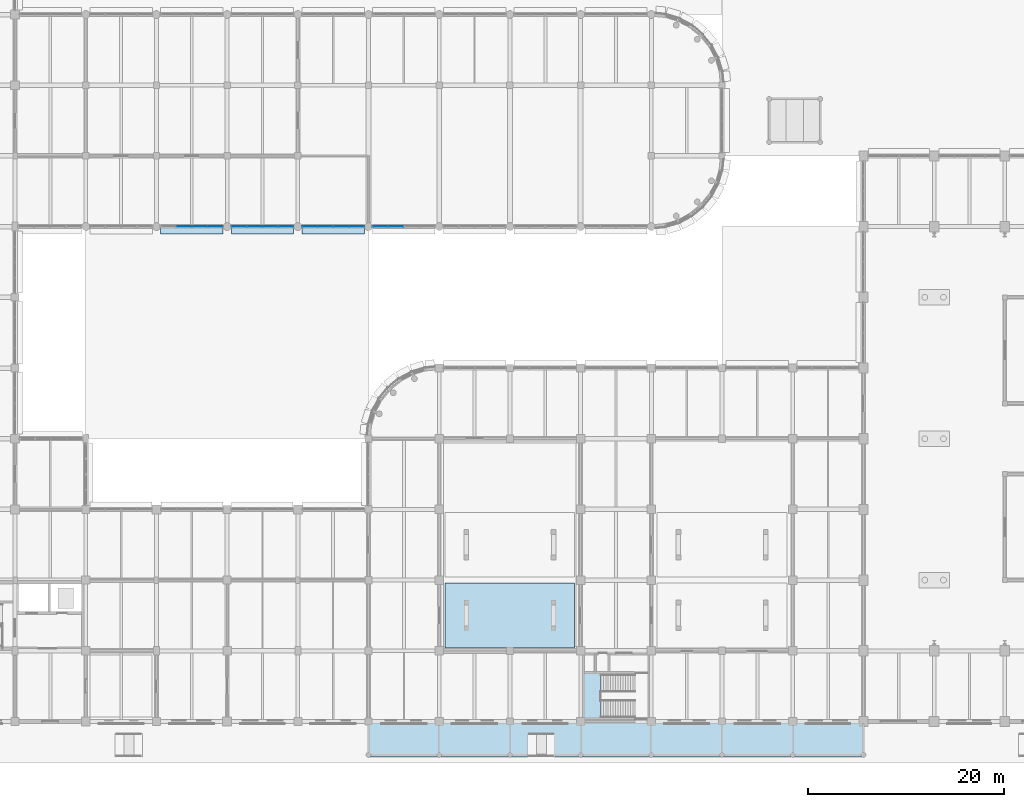
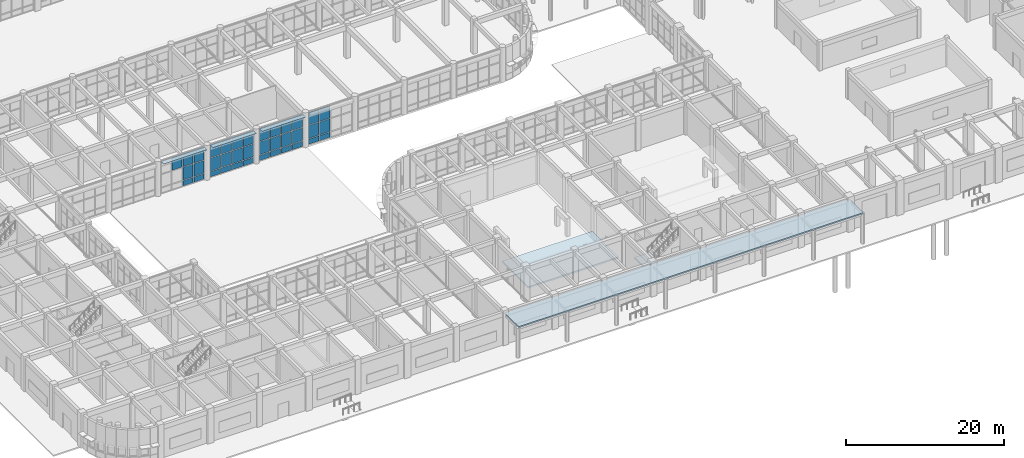
# One storey, part 115 of 160: 40 plates, 3 slabs, 5 elements without a shape of their own.
"""IFC4 building model written with IfcOpenShell, lengths in metres."""

from ifc_helpers import new_model, si_unit, direction, frame, origin, origin_2d, place, context, subcontext, project, spatial, polyline, rectangle, outline, extrude, material, layer, layer_set, type_object, element, aggregate, save


model = new_model("IFC4")

# Units and contexts
model_context = context("Model", 3, precision=1e-05, world=origin(), true_north=direction((0.0, 1.0)))
body_context = subcontext(model_context, "Body", "Model", "MODEL_VIEW")
ifc_project = project(units=[si_unit("LENGTHUNIT", "METRE"), si_unit("AREAUNIT", "SQUARE_METRE"), si_unit("VOLUMEUNIT", "CUBIC_METRE"), si_unit("PLANEANGLEUNIT", "RADIAN"), si_unit("MASSUNIT", "GRAM", prefix="KILO")], contexts=[model_context])

# Site, building, storey
site_placement = place(None, origin())
site = spatial("IfcSite", under=ifc_project, at=site_placement, CompositionType="ELEMENT")
building_placement = place(site_placement, origin())
building = spatial("IfcBuilding", under=site, at=building_placement, Name="Thalmaran Polytechnic", CompositionType="ELEMENT")
storey_placement = place(building_placement, origin())
storey = spatial("IfcBuildingStorey", under=building, at=storey_placement, Name="L00", CompositionType="ELEMENT", Elevation=0.0)

# Plates
ifc_material_1 = material(Name="Anodised aluminium sun-hood eyebrow", Category="aluminium")
ifc_layer_1 = layer(ifc_material_1, 0.0849609375, Name="Anodised aluminium sun-hood eyebrow")
ifc_layer_set_1 = layer_set([ifc_layer_1], Name="Anodised aluminium sun-hood eyebrow")
plate_type_1 = type_object("IfcPlateType", Name="PT-EB01", PredefinedType="SHEET", material=ifc_layer_set_1)
for number, where, z_axis, x_axis, name in (
    (1, (54.0, 50.0400390625, 4.987548828125), (0.0, 0.0, 1.0), (-1.0, 0.0, 0.0), "Streamline Sun-Hood Eyebrow L00-CW040"),
    (2, (46.800048828125, 50.0400390625, 4.987548828125), (0.0, 0.0, 1.0), (-1.0, 0.0, 0.0), "Streamline Sun-Hood Eyebrow L00-CW041"),
    (3, (39.60009765625, 50.0400390625, 4.987548828125), (0.0, 0.0, 1.0), (-1.0, 0.0, 0.0), "Streamline Sun-Hood Eyebrow L00-CW042"),
):
    element("IfcPlate", number, at=place(storey_placement, frame(where, z_axis=z_axis, x_axis=x_axis)), inside=storey, type_object=plate_type_1, Name=name, PredefinedType="SHEET", context=body_context, shape_type="SweptSolid", body=[
        extrude(rectangle(XDim=6.360107421875, YDim=0.760009765625, at=origin_2d()), origin(), (0.0, 0.0, 1.0), 0.0849609375),
    ])

# Curtain wall, plates
ifc_material_2 = material(Name="Aluminium 6063-T6", Category="aluminium")
curtain_wall_type = type_object("IfcCurtainWallType", Name="CW-SC01", PredefinedType="USERDEFINED", material=ifc_material_2)
curtain_wall_1_placement = place(storey_placement, origin())
curtain_wall_1 = element("IfcCurtainWall", 4, at=curtain_wall_1_placement, inside=storey, type_object=curtain_wall_type, Name="Curtain Wall CW-L00-040", ObjectType="STICK CURTAIN WALL", PredefinedType="USERDEFINED")
ifc_material_3 = material(Name="Solar-control double low-E glass", Category="glass")
ifc_layer_2 = layer(ifc_material_3, 0.035888671875, Name="Solar-control double low-E glass")
ifc_layer_set_2 = layer_set([ifc_layer_2], Name="Solar-control double low-E glass")
plate_type_2 = type_object("IfcPlateType", Name="PT-GL01", PredefinedType="CURTAIN_PANEL", material=ifc_layer_set_2)
plate_1_placement = place(storey_placement, frame((56.39990234375, 50.39990234375, 1.0), z_axis=(0.0, 0.0, 1.0), x_axis=(-1.0, 0.0, 0.0)))
plate_1 = element("IfcPlate", 5, at=plate_1_placement, type_object=plate_type_2, Name="CW-L00-040 Vision Panel 1-2", PredefinedType="CURTAIN_PANEL", context=body_context, shape_type="SweptSolid", body=[
    extrude(rectangle(XDim=1.5, YDim=0.035888671875, at=origin_2d()), origin(), (0.0, 0.0, 1.0), 1.985107421875),
])
plate_2_placement = place(storey_placement, frame((56.39990234375, 50.39990234375, 3.06494140625), z_axis=(0.0, 0.0, 1.0), x_axis=(-1.0, 0.0, 0.0)))
plate_2 = element("IfcPlate", 6, at=plate_2_placement, type_object=plate_type_2, Name="CW-L00-040 Vision Panel 1-3", PredefinedType="CURTAIN_PANEL", context=body_context, shape_type="SweptSolid", body=[
    extrude(rectangle(XDim=1.5, YDim=0.035888671875, at=origin_2d()), origin(), (0.0, 0.0, 1.0), 1.925048828125),
])
plate_3_placement = place(storey_placement, frame((54.800048828125, 50.39990234375, 1.0), z_axis=(0.0, 0.0, 1.0), x_axis=(-1.0, 0.0, 0.0)))
plate_3 = element("IfcPlate", 7, at=plate_3_placement, type_object=plate_type_2, Name="CW-L00-040 Vision Panel 2-2", PredefinedType="CURTAIN_PANEL", context=body_context, shape_type="SweptSolid", body=[
    extrude(rectangle(XDim=1.5, YDim=0.035888671875, at=origin_2d()), origin(), (0.0, 0.0, 1.0), 1.985107421875),
])
plate_4_placement = place(storey_placement, frame((54.800048828125, 50.39990234375, 3.06494140625), z_axis=(0.0, 0.0, 1.0), x_axis=(-1.0, 0.0, 0.0)))
plate_4 = element("IfcPlate", 8, at=plate_4_placement, type_object=plate_type_2, Name="CW-L00-040 Vision Panel 2-3", PredefinedType="CURTAIN_PANEL", context=body_context, shape_type="SweptSolid", body=[
    extrude(rectangle(XDim=1.5, YDim=0.035888671875, at=origin_2d()), origin(), (0.0, 0.0, 1.0), 1.925048828125),
])
plate_5_placement = place(storey_placement, frame((53.199951171875, 50.39990234375, 1.0), z_axis=(0.0, 0.0, 1.0), x_axis=(-1.0, 0.0, 0.0)))
plate_5 = element("IfcPlate", 9, at=plate_5_placement, type_object=plate_type_2, Name="CW-L00-040 Vision Panel 3-2", PredefinedType="CURTAIN_PANEL", context=body_context, shape_type="SweptSolid", body=[
    extrude(rectangle(XDim=1.5, YDim=0.035888671875, at=origin_2d()), origin(), (0.0, 0.0, 1.0), 1.985107421875),
])
plate_6_placement = place(storey_placement, frame((53.199951171875, 50.39990234375, 3.06494140625), z_axis=(0.0, 0.0, 1.0), x_axis=(-1.0, 0.0, 0.0)))
plate_6 = element("IfcPlate", 10, at=plate_6_placement, type_object=plate_type_2, Name="CW-L00-040 Vision Panel 3-3", PredefinedType="CURTAIN_PANEL", context=body_context, shape_type="SweptSolid", body=[
    extrude(rectangle(XDim=1.5, YDim=0.035888671875, at=origin_2d()), origin(), (0.0, 0.0, 1.0), 1.925048828125),
])
plate_7_placement = place(storey_placement, frame((51.60009765625, 50.39990234375, 1.0), z_axis=(0.0, 0.0, 1.0), x_axis=(-1.0, 0.0, 0.0)))
plate_7 = element("IfcPlate", 11, at=plate_7_placement, type_object=plate_type_2, Name="CW-L00-040 Vision Panel 4-2", PredefinedType="CURTAIN_PANEL", context=body_context, shape_type="SweptSolid", body=[
    extrude(rectangle(XDim=1.5, YDim=0.035888671875, at=origin_2d()), origin(), (0.0, 0.0, 1.0), 1.985107421875),
])
plate_8_placement = place(storey_placement, frame((51.60009765625, 50.39990234375, 3.06494140625), z_axis=(0.0, 0.0, 1.0), x_axis=(-1.0, 0.0, 0.0)))
plate_8 = element("IfcPlate", 12, at=plate_8_placement, type_object=plate_type_2, Name="CW-L00-040 Vision Panel 4-3", PredefinedType="CURTAIN_PANEL", context=body_context, shape_type="SweptSolid", body=[
    extrude(rectangle(XDim=1.5, YDim=0.035888671875, at=origin_2d()), origin(), (0.0, 0.0, 1.0), 1.925048828125),
])

curtain_wall_2_placement = place(storey_placement, origin())
curtain_wall_2 = element("IfcCurtainWall", 13, at=curtain_wall_2_placement, inside=storey, type_object=curtain_wall_type, Name="Curtain Wall CW-L00-041", ObjectType="STICK CURTAIN WALL", PredefinedType="USERDEFINED")
ifc_layer_3 = layer(ifc_material_3, 0.035888671875, Name="Solar-control double low-E glass")
ifc_layer_set_3 = layer_set([ifc_layer_3], Name="Solar-control double low-E glass")
plate_type_3 = type_object("IfcPlateType", Name="PT-GL02", PredefinedType="CURTAIN_PANEL", material=ifc_layer_set_3)
plate_9_placement = place(storey_placement, frame((49.199951171875, 50.39990234375, 1.0), z_axis=(0.0, 0.0, 1.0), x_axis=(-1.0, 0.0, 0.0)))
plate_9 = element("IfcPlate", 14, at=plate_9_placement, type_object=plate_type_3, Name="CW-L00-041 Vision Panel 1-2", PredefinedType="CURTAIN_PANEL", context=body_context, shape_type="SweptSolid", body=[
    extrude(rectangle(XDim=1.5, YDim=0.035888671875, at=origin_2d()), origin(), (0.0, 0.0, 1.0), 1.985107421875),
])
plate_10_placement = place(storey_placement, frame((49.199951171875, 50.39990234375, 3.06494140625), z_axis=(0.0, 0.0, 1.0), x_axis=(-1.0, 0.0, 0.0)))
plate_10 = element("IfcPlate", 15, at=plate_10_placement, type_object=plate_type_3, Name="CW-L00-041 Vision Panel 1-3", PredefinedType="CURTAIN_PANEL", context=body_context, shape_type="SweptSolid", body=[
    extrude(rectangle(XDim=1.5, YDim=0.035888671875, at=origin_2d()), origin(), (0.0, 0.0, 1.0), 1.925048828125),
])
plate_11_placement = place(storey_placement, frame((47.60009765625, 50.39990234375, 1.0), z_axis=(0.0, 0.0, 1.0), x_axis=(-1.0, 0.0, 0.0)))
plate_11 = element("IfcPlate", 16, at=plate_11_placement, type_object=plate_type_3, Name="CW-L00-041 Vision Panel 2-2", PredefinedType="CURTAIN_PANEL", context=body_context, shape_type="SweptSolid", body=[
    extrude(rectangle(XDim=1.5, YDim=0.035888671875, at=origin_2d()), origin(), (0.0, 0.0, 1.0), 1.985107421875),
])
plate_12_placement = place(storey_placement, frame((47.60009765625, 50.39990234375, 3.06494140625), z_axis=(0.0, 0.0, 1.0), x_axis=(-1.0, 0.0, 0.0)))
plate_12 = element("IfcPlate", 17, at=plate_12_placement, type_object=plate_type_3, Name="CW-L00-041 Vision Panel 2-3", PredefinedType="CURTAIN_PANEL", context=body_context, shape_type="SweptSolid", body=[
    extrude(rectangle(XDim=1.5, YDim=0.035888671875, at=origin_2d()), origin(), (0.0, 0.0, 1.0), 1.925048828125),
])
plate_13_placement = place(storey_placement, frame((46.0, 50.39990234375, 1.0), z_axis=(0.0, 0.0, 1.0), x_axis=(-1.0, 0.0, 0.0)))
plate_13 = element("IfcPlate", 18, at=plate_13_placement, type_object=plate_type_3, Name="CW-L00-041 Vision Panel 3-2", PredefinedType="CURTAIN_PANEL", context=body_context, shape_type="SweptSolid", body=[
    extrude(rectangle(XDim=1.5, YDim=0.035888671875, at=origin_2d()), origin(), (0.0, 0.0, 1.0), 1.985107421875),
])
plate_14_placement = place(storey_placement, frame((46.0, 50.39990234375, 3.06494140625), z_axis=(0.0, 0.0, 1.0), x_axis=(-1.0, 0.0, 0.0)))
plate_14 = element("IfcPlate", 19, at=plate_14_placement, type_object=plate_type_3, Name="CW-L00-041 Vision Panel 3-3", PredefinedType="CURTAIN_PANEL", context=body_context, shape_type="SweptSolid", body=[
    extrude(rectangle(XDim=1.5, YDim=0.035888671875, at=origin_2d()), origin(), (0.0, 0.0, 1.0), 1.925048828125),
])
plate_15_placement = place(storey_placement, frame((44.39990234375, 50.39990234375, 1.0), z_axis=(0.0, 0.0, 1.0), x_axis=(-1.0, 0.0, 0.0)))
plate_15 = element("IfcPlate", 20, at=plate_15_placement, type_object=plate_type_3, Name="CW-L00-041 Vision Panel 4-2", PredefinedType="CURTAIN_PANEL", context=body_context, shape_type="SweptSolid", body=[
    extrude(rectangle(XDim=1.5, YDim=0.035888671875, at=origin_2d()), origin(), (0.0, 0.0, 1.0), 1.985107421875),
])
plate_16_placement = place(storey_placement, frame((44.39990234375, 50.39990234375, 3.06494140625), z_axis=(0.0, 0.0, 1.0), x_axis=(-1.0, 0.0, 0.0)))
plate_16 = element("IfcPlate", 21, at=plate_16_placement, type_object=plate_type_3, Name="CW-L00-041 Vision Panel 4-3", PredefinedType="CURTAIN_PANEL", context=body_context, shape_type="SweptSolid", body=[
    extrude(rectangle(XDim=1.5, YDim=0.035888671875, at=origin_2d()), origin(), (0.0, 0.0, 1.0), 1.925048828125),
])

curtain_wall_3_placement = place(storey_placement, origin())
curtain_wall_3 = element("IfcCurtainWall", 22, at=curtain_wall_3_placement, inside=storey, type_object=curtain_wall_type, Name="Curtain Wall CW-L00-042", ObjectType="STICK CURTAIN WALL", PredefinedType="USERDEFINED")
ifc_layer_4 = layer(ifc_material_3, 0.035888671875, Name="Solar-control double low-E glass")
ifc_layer_set_4 = layer_set([ifc_layer_4], Name="Solar-control double low-E glass")
plate_type_4 = type_object("IfcPlateType", Name="PT-GL03", PredefinedType="CURTAIN_PANEL", material=ifc_layer_set_4)
plate_17_placement = place(storey_placement, frame((42.0, 50.39990234375, 1.0), z_axis=(0.0, 0.0, 1.0), x_axis=(-1.0, 0.0, 0.0)))
plate_17 = element("IfcPlate", 23, at=plate_17_placement, type_object=plate_type_4, Name="CW-L00-042 Vision Panel 1-2", PredefinedType="CURTAIN_PANEL", context=body_context, shape_type="SweptSolid", body=[
    extrude(rectangle(XDim=1.5, YDim=0.035888671875, at=origin_2d()), origin(), (0.0, 0.0, 1.0), 1.985107421875),
])
plate_18_placement = place(storey_placement, frame((42.0, 50.39990234375, 3.06494140625), z_axis=(0.0, 0.0, 1.0), x_axis=(-1.0, 0.0, 0.0)))
plate_18 = element("IfcPlate", 24, at=plate_18_placement, type_object=plate_type_4, Name="CW-L00-042 Vision Panel 1-3", PredefinedType="CURTAIN_PANEL", context=body_context, shape_type="SweptSolid", body=[
    extrude(rectangle(XDim=1.5, YDim=0.035888671875, at=origin_2d()), origin(), (0.0, 0.0, 1.0), 1.925048828125),
])
plate_19_placement = place(storey_placement, frame((40.39990234375, 50.39990234375, 1.0), z_axis=(0.0, 0.0, 1.0), x_axis=(-1.0, 0.0, 0.0)))
plate_19 = element("IfcPlate", 25, at=plate_19_placement, type_object=plate_type_4, Name="CW-L00-042 Vision Panel 2-2", PredefinedType="CURTAIN_PANEL", context=body_context, shape_type="SweptSolid", body=[
    extrude(rectangle(XDim=1.5, YDim=0.035888671875, at=origin_2d()), origin(), (0.0, 0.0, 1.0), 1.985107421875),
])
plate_20_placement = place(storey_placement, frame((40.39990234375, 50.39990234375, 3.06494140625), z_axis=(0.0, 0.0, 1.0), x_axis=(-1.0, 0.0, 0.0)))
plate_20 = element("IfcPlate", 26, at=plate_20_placement, type_object=plate_type_4, Name="CW-L00-042 Vision Panel 2-3", PredefinedType="CURTAIN_PANEL", context=body_context, shape_type="SweptSolid", body=[
    extrude(rectangle(XDim=1.5, YDim=0.035888671875, at=origin_2d()), origin(), (0.0, 0.0, 1.0), 1.925048828125),
])
plate_21_placement = place(storey_placement, frame((38.800048828125, 50.39990234375, 3.06494140625), z_axis=(0.0, 0.0, 1.0), x_axis=(-1.0, 0.0, 0.0)))
plate_21 = element("IfcPlate", 27, at=plate_21_placement, type_object=plate_type_4, Name="CW-L00-042 Vision Panel 3-3", PredefinedType="CURTAIN_PANEL", context=body_context, shape_type="SweptSolid", body=[
    extrude(rectangle(XDim=1.5, YDim=0.035888671875, at=origin_2d()), origin(), (0.0, 0.0, 1.0), 1.925048828125),
])

curtain_wall_4_placement = place(storey_placement, origin())
curtain_wall_4 = element("IfcCurtainWall", 28, at=curtain_wall_4_placement, inside=storey, type_object=curtain_wall_type, Name="Curtain Wall CW-L00-039", ObjectType="STICK CURTAIN WALL", PredefinedType="USERDEFINED")
ifc_layer_5 = layer(ifc_material_3, 0.035888671875, Name="Solar-control double low-E glass")
ifc_layer_set_5 = layer_set([ifc_layer_5], Name="Solar-control double low-E glass")
plate_type_5 = type_object("IfcPlateType", Name="PT-GL05", PredefinedType="CURTAIN_PANEL", material=ifc_layer_set_5)
plate_22_placement = place(storey_placement, frame((60.39990234375, 50.39990234375, 1.0), z_axis=(0.0, 0.0, 1.0), x_axis=(-1.0, 0.0, 0.0)))
plate_22 = element("IfcPlate", 29, at=plate_22_placement, type_object=plate_type_5, Name="CW-L00-039 Vision Panel 3-2", PredefinedType="CURTAIN_PANEL", context=body_context, shape_type="SweptSolid", body=[
    extrude(rectangle(XDim=1.5, YDim=0.035888671875, at=origin_2d()), origin(), (0.0, 0.0, 1.0), 1.985107421875),
])
plate_23_placement = place(storey_placement, frame((60.39990234375, 50.39990234375, 3.06494140625), z_axis=(0.0, 0.0, 1.0), x_axis=(-1.0, 0.0, 0.0)))
plate_23 = element("IfcPlate", 30, at=plate_23_placement, type_object=plate_type_5, Name="CW-L00-039 Vision Panel 3-3", PredefinedType="CURTAIN_PANEL", context=body_context, shape_type="SweptSolid", body=[
    extrude(rectangle(XDim=1.5, YDim=0.035888671875, at=origin_2d()), origin(), (0.0, 0.0, 1.0), 1.925048828125),
])
plate_24_placement = place(storey_placement, frame((58.800048828125, 50.39990234375, 1.0), z_axis=(0.0, 0.0, 1.0), x_axis=(-1.0, 0.0, 0.0)))
plate_24 = element("IfcPlate", 31, at=plate_24_placement, type_object=plate_type_5, Name="CW-L00-039 Vision Panel 4-2", PredefinedType="CURTAIN_PANEL", context=body_context, shape_type="SweptSolid", body=[
    extrude(rectangle(XDim=1.5, YDim=0.035888671875, at=origin_2d()), origin(), (0.0, 0.0, 1.0), 1.985107421875),
])
plate_25_placement = place(storey_placement, frame((58.800048828125, 50.39990234375, 3.06494140625), z_axis=(0.0, 0.0, 1.0), x_axis=(-1.0, 0.0, 0.0)))
plate_25 = element("IfcPlate", 32, at=plate_25_placement, type_object=plate_type_5, Name="CW-L00-039 Vision Panel 4-3", PredefinedType="CURTAIN_PANEL", context=body_context, shape_type="SweptSolid", body=[
    extrude(rectangle(XDim=1.5, YDim=0.035888671875, at=origin_2d()), origin(), (0.0, 0.0, 1.0), 1.925048828125),
])
ifc_material_4 = material(Name="Insulated anodised aluminium spandrel", Category="aluminium")
ifc_layer_6 = layer(ifc_material_4, 0.06005859375, Name="Insulated anodised aluminium spandrel")
ifc_layer_set_6 = layer_set([ifc_layer_6], Name="Insulated anodised aluminium spandrel")
plate_type_6 = type_object("IfcPlateType", Name="PT-SP01", PredefinedType="CURTAIN_PANEL", material=ifc_layer_set_6)
plate_26_placement = place(storey_placement, frame((60.39990234375, 50.39990234375, 0.10009765625), z_axis=(0.0, 0.0, 1.0), x_axis=(-1.0, 0.0, 0.0)))
plate_26 = element("IfcPlate", 33, at=plate_26_placement, type_object=plate_type_6, Name="CW-L00-039 Spandrel Panel 3-1", PredefinedType="CURTAIN_PANEL", context=body_context, shape_type="SweptSolid", body=[
    extrude(rectangle(XDim=1.5, YDim=0.06005859375, at=origin_2d()), origin(), (0.0, 0.0, 1.0), 0.820068359375),
])
plate_27_placement = place(storey_placement, frame((58.800048828125, 50.39990234375, 0.10009765625), z_axis=(0.0, 0.0, 1.0), x_axis=(-1.0, 0.0, 0.0)))
plate_27 = element("IfcPlate", 34, at=plate_27_placement, type_object=plate_type_6, Name="CW-L00-039 Spandrel Panel 4-1", PredefinedType="CURTAIN_PANEL", context=body_context, shape_type="SweptSolid", body=[
    extrude(rectangle(XDim=1.5, YDim=0.06005859375, at=origin_2d()), origin(), (0.0, 0.0, 1.0), 0.820068359375),
])
aggregate(curtain_wall_4, [plate_26, plate_22, plate_23, plate_27, plate_24, plate_25])

# Plate
plate_28_placement = place(storey_placement, frame((42.0, 50.39990234375, 0.10009765625), z_axis=(0.0, 0.0, 1.0), x_axis=(-1.0, 0.0, 0.0)))
plate_28 = element("IfcPlate", 35, at=plate_28_placement, type_object=plate_type_6, Name="CW-L00-042 Spandrel Panel 1-1", PredefinedType="CURTAIN_PANEL", context=body_context, shape_type="SweptSolid", body=[
    extrude(rectangle(XDim=1.5, YDim=0.06005859375, at=origin_2d()), origin(), (0.0, 0.0, 1.0), 0.820068359375),
])

plate_29_placement = place(storey_placement, frame((40.39990234375, 50.39990234375, 0.10009765625), z_axis=(0.0, 0.0, 1.0), x_axis=(-1.0, 0.0, 0.0)))
plate_29 = element("IfcPlate", 36, at=plate_29_placement, type_object=plate_type_6, Name="CW-L00-042 Spandrel Panel 2-1", PredefinedType="CURTAIN_PANEL", context=body_context, shape_type="SweptSolid", body=[
    extrude(rectangle(XDim=1.5, YDim=0.06005859375, at=origin_2d()), origin(), (0.0, 0.0, 1.0), 0.820068359375),
])

aggregate(curtain_wall_3, [plate_28, plate_17, plate_18, plate_29, plate_19, plate_20, plate_21])

ifc_layer_7 = layer(ifc_material_4, 0.06005859375, Name="Insulated anodised aluminium spandrel")
ifc_layer_set_7 = layer_set([ifc_layer_7], Name="Insulated anodised aluminium spandrel")
plate_type_7 = type_object("IfcPlateType", Name="PT-SP02", PredefinedType="CURTAIN_PANEL", material=ifc_layer_set_7)
plate_30_placement = place(storey_placement, frame((56.39990234375, 50.39990234375, 0.10009765625), z_axis=(0.0, 0.0, 1.0), x_axis=(-1.0, 0.0, 0.0)))
plate_30 = element("IfcPlate", 37, at=plate_30_placement, type_object=plate_type_7, Name="CW-L00-040 Spandrel Panel 1-1", PredefinedType="CURTAIN_PANEL", context=body_context, shape_type="SweptSolid", body=[
    extrude(rectangle(XDim=1.5, YDim=0.06005859375, at=origin_2d()), origin(), (0.0, 0.0, 1.0), 0.820068359375),
])

plate_31_placement = place(storey_placement, frame((54.800048828125, 50.39990234375, 0.10009765625), z_axis=(0.0, 0.0, 1.0), x_axis=(-1.0, 0.0, 0.0)))
plate_31 = element("IfcPlate", 38, at=plate_31_placement, type_object=plate_type_7, Name="CW-L00-040 Spandrel Panel 2-1", PredefinedType="CURTAIN_PANEL", context=body_context, shape_type="SweptSolid", body=[
    extrude(rectangle(XDim=1.5, YDim=0.06005859375, at=origin_2d()), origin(), (0.0, 0.0, 1.0), 0.820068359375),
])

plate_32_placement = place(storey_placement, frame((53.199951171875, 50.39990234375, 0.10009765625), z_axis=(0.0, 0.0, 1.0), x_axis=(-1.0, 0.0, 0.0)))
plate_32 = element("IfcPlate", 39, at=plate_32_placement, type_object=plate_type_7, Name="CW-L00-040 Spandrel Panel 3-1", PredefinedType="CURTAIN_PANEL", context=body_context, shape_type="SweptSolid", body=[
    extrude(rectangle(XDim=1.5, YDim=0.06005859375, at=origin_2d()), origin(), (0.0, 0.0, 1.0), 0.820068359375),
])

plate_33_placement = place(storey_placement, frame((51.60009765625, 50.39990234375, 0.10009765625), z_axis=(0.0, 0.0, 1.0), x_axis=(-1.0, 0.0, 0.0)))
plate_33 = element("IfcPlate", 40, at=plate_33_placement, type_object=plate_type_7, Name="CW-L00-040 Spandrel Panel 4-1", PredefinedType="CURTAIN_PANEL", context=body_context, shape_type="SweptSolid", body=[
    extrude(rectangle(XDim=1.5, YDim=0.06005859375, at=origin_2d()), origin(), (0.0, 0.0, 1.0), 0.820068359375),
])

aggregate(curtain_wall_1, [plate_30, plate_1, plate_2, plate_31, plate_3, plate_4, plate_32, plate_5, plate_6, plate_33, plate_7, plate_8])

ifc_layer_8 = layer(ifc_material_4, 0.06005859375, Name="Insulated anodised aluminium spandrel")
ifc_layer_set_8 = layer_set([ifc_layer_8], Name="Insulated anodised aluminium spandrel")
plate_type_8 = type_object("IfcPlateType", Name="PT-SP03", PredefinedType="CURTAIN_PANEL", material=ifc_layer_set_8)
plate_34_placement = place(storey_placement, frame((49.199951171875, 50.39990234375, 0.10009765625), z_axis=(0.0, 0.0, 1.0), x_axis=(-1.0, 0.0, 0.0)))
plate_34 = element("IfcPlate", 41, at=plate_34_placement, type_object=plate_type_8, Name="CW-L00-041 Spandrel Panel 1-1", PredefinedType="CURTAIN_PANEL", context=body_context, shape_type="SweptSolid", body=[
    extrude(rectangle(XDim=1.5, YDim=0.06005859375, at=origin_2d()), origin(), (0.0, 0.0, 1.0), 0.820068359375),
])

plate_35_placement = place(storey_placement, frame((47.60009765625, 50.39990234375, 0.10009765625), z_axis=(0.0, 0.0, 1.0), x_axis=(-1.0, 0.0, 0.0)))
plate_35 = element("IfcPlate", 42, at=plate_35_placement, type_object=plate_type_8, Name="CW-L00-041 Spandrel Panel 2-1", PredefinedType="CURTAIN_PANEL", context=body_context, shape_type="SweptSolid", body=[
    extrude(rectangle(XDim=1.5, YDim=0.06005859375, at=origin_2d()), origin(), (0.0, 0.0, 1.0), 0.820068359375),
])

plate_36_placement = place(storey_placement, frame((46.0, 50.39990234375, 0.10009765625), z_axis=(0.0, 0.0, 1.0), x_axis=(-1.0, 0.0, 0.0)))
plate_36 = element("IfcPlate", 43, at=plate_36_placement, type_object=plate_type_8, Name="CW-L00-041 Spandrel Panel 3-1", PredefinedType="CURTAIN_PANEL", context=body_context, shape_type="SweptSolid", body=[
    extrude(rectangle(XDim=1.5, YDim=0.06005859375, at=origin_2d()), origin(), (0.0, 0.0, 1.0), 0.820068359375),
])

plate_37_placement = place(storey_placement, frame((44.39990234375, 50.39990234375, 0.10009765625), z_axis=(0.0, 0.0, 1.0), x_axis=(-1.0, 0.0, 0.0)))
plate_37 = element("IfcPlate", 44, at=plate_37_placement, type_object=plate_type_8, Name="CW-L00-041 Spandrel Panel 4-1", PredefinedType="CURTAIN_PANEL", context=body_context, shape_type="SweptSolid", body=[
    extrude(rectangle(XDim=1.5, YDim=0.06005859375, at=origin_2d()), origin(), (0.0, 0.0, 1.0), 0.820068359375),
])

aggregate(curtain_wall_2, [plate_34, plate_9, plate_10, plate_35, plate_11, plate_12, plate_36, plate_13, plate_14, plate_37, plate_15, plate_16])

# Slab
ifc_material_5 = material(Name="Concrete C40/50", Category="concrete")
ifc_layer_9 = layer(ifc_material_5, 0.22998046875, Name="Concrete C40/50")
ifc_layer_set_9 = layer_set([ifc_layer_9], Name="Concrete C40/50")
slab_type_1 = type_object("IfcSlabType", Name="SL-FL08", PredefinedType="FLOOR", material=ifc_layer_set_9)
slab_1_placement = place(storey_placement, frame((0.0, 0.0, 1.27001953125)))
element("IfcSlab", 45, at=slab_1_placement, inside=storey, type_object=slab_type_1, Name="Lecture Theatre 1 Raked Tier 1", PredefinedType="FLOOR", context=body_context, shape_type="SweptSolid", body=[
    extrude(outline(polyline([(65.39990234375, 7.5), (78.60009765625, 7.5), (78.60009765625, 14.10009765625), (65.39990234375, 14.10009765625), (65.39990234375, 7.5)])), origin(), (0.0, 0.0, 1.0), 0.22998046875),
])

# Stair, slab
stair_type = type_object("IfcStairType", Name="ST-HT54", PredefinedType="HALF_TURN_STAIR", material=ifc_material_5)
stair_placement = place(storey_placement, origin())
stair = element("IfcStair", 46, at=stair_placement, inside=storey, type_object=stair_type, Name="Exit Stair ST7 L00", PredefinedType="HALF_TURN_STAIR")
ifc_layer_10 = layer(ifc_material_5, 0.2099609375, Name="Concrete C40/50")
ifc_layer_set_10 = layer_set([ifc_layer_10], Name="Concrete C40/50")
slab_type_2 = type_object("IfcSlabType", Name="SL-LD01", PredefinedType="LANDING", material=ifc_layer_set_10)
slab_2_placement = place(storey_placement, frame((0.0, 0.0, 2.489990234375)))
slab_2 = element("IfcSlab", 47, at=slab_2_placement, type_object=slab_type_2, Name="ST7 L00 Half Landing", PredefinedType="LANDING", context=body_context, shape_type="SweptSolid", body=[
    extrude(outline(polyline([(79.43994140625, 0.239990234375), (81.260009765625, 0.239990234375), (81.260009765625, 4.93994140625), (79.43994140625, 4.93994140625), (79.43994140625, 0.239990234375)])), origin(), (0.0, 0.0, 1.0), 0.2099609375),
])
aggregate(stair, [slab_2])

# Slab
ifc_layer_11 = layer(ifc_material_5, 0.205078125, Name="Concrete C40/50")
ifc_layer_set_11 = layer_set([ifc_layer_11], Name="Concrete C40/50")
slab_type_3 = type_object("IfcSlabType", Name="SL-RF04", PredefinedType="ROOF", material=ifc_layer_set_11)
slab_3_placement = place(storey_placement, frame((0.0, 0.0, 4.60009765625)))
element("IfcSlab", 48, at=slab_3_placement, inside=storey, type_object=slab_type_3, Name="South Boulevard Shaded Arcade Canopy", PredefinedType="ROOF", context=body_context, shape_type="SweptSolid", body=[
    extrude(outline(polyline([(57.60009765625, -3.60009765625), (108.0, -3.60009765625), (108.0, 0.0), (57.60009765625, 0.0), (57.60009765625, -3.60009765625)])), origin(), (0.0, 0.0, 1.0), 0.204833984375),
])

save(model, "model.ifc")
